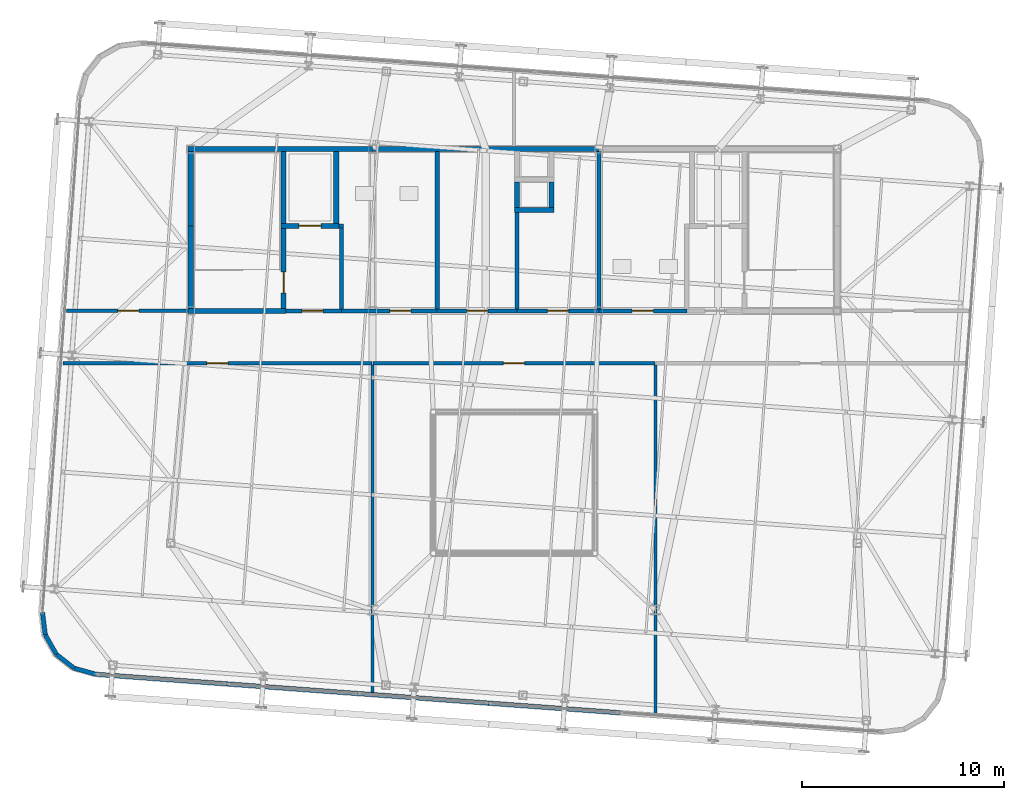
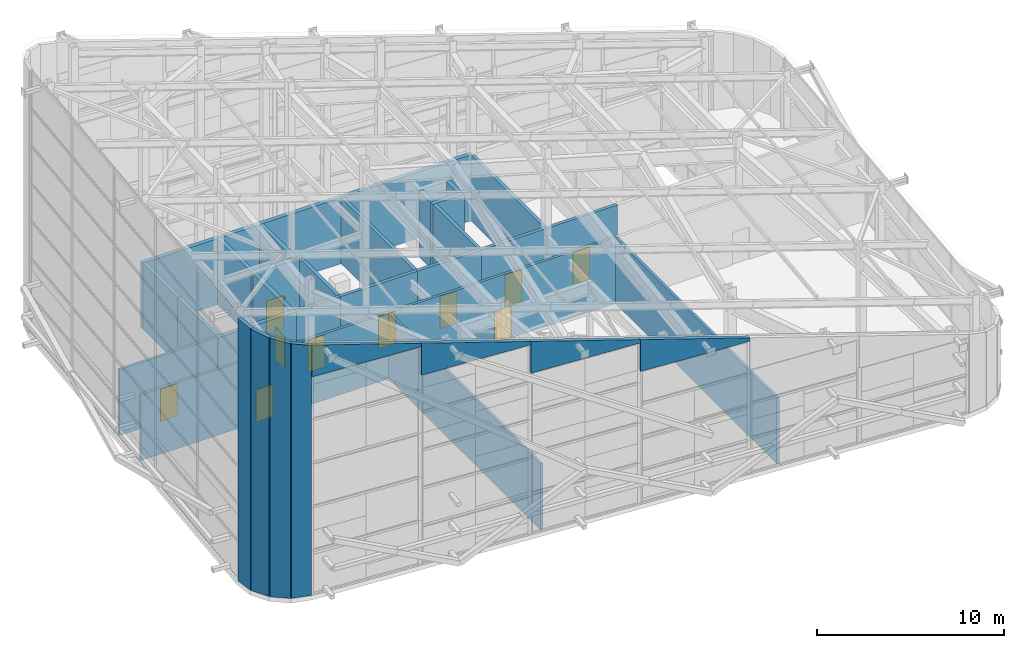
# One storey, part 53 of 56: 35 walls, 10 doors, 10 openings.
"""IFC4 building model written with IfcOpenShell, lengths in metres."""

from ifc_helpers import new_model, si_unit, direction, frame, frame_2d, origin, place, context, subcontext, project, spatial, polyline, rectangle, outline, extrude, source, transform, mapped, material, layer, layer_set, type_object, element, fill, save


model = new_model("IFC4")

# Units and contexts
model_context = context("Model", 3, precision=1e-05, world=origin(), true_north=direction((0.0, 1.0)))
body_context = subcontext(model_context, "Body", "Model", "MODEL_VIEW")
ifc_project = project(units=[si_unit("LENGTHUNIT", "METRE"), si_unit("AREAUNIT", "SQUARE_METRE"), si_unit("VOLUMEUNIT", "CUBIC_METRE"), si_unit("PLANEANGLEUNIT", "RADIAN"), si_unit("MASSUNIT", "GRAM", prefix="KILO")], contexts=[model_context])

# Site, building, storey
site_placement = place(None, origin())
site = spatial("IfcSite", under=ifc_project, at=site_placement, CompositionType="ELEMENT")
building_placement = place(site_placement, origin())
building = spatial("IfcBuilding", under=site, at=building_placement, Name="Taldren Reach Tower", CompositionType="ELEMENT")
storey_placement = place(building_placement, frame((0.0, 0.0, 253.050048828125)))
storey = spatial("IfcBuildingStorey", under=building, at=storey_placement, Name="L77", CompositionType="ELEMENT", Elevation=253.050048828125)

# Walls
ifc_material_1 = material(Name="Pale Champagne Anodised Aluminium Cladding", Category="aluminium")
ifc_layer_1 = layer(ifc_material_1, 0.04, Name="Pale Champagne Anodised Aluminium Cladding", Category="aluminium")
ifc_material_2 = material(Name="Mineral Wool Acoustic Insulation", Category="insulation")
ifc_layer_2 = layer(ifc_material_2, 0.06, Name="Mineral Wool Acoustic Insulation", Category="insulation")
ifc_material_3 = material(Name="Steel Gr 350 (C350L0)", Category="steel")
ifc_layer_3 = layer(ifc_material_3, 0.12, Name="Steel Gr 350 (C350L0)", Category="steel")
ifc_layer_set_1 = layer_set([ifc_layer_1, ifc_layer_2, ifc_layer_3], Name="Pale Champagne Aluminium Cladding and Steel Gr 350 Stud Framing")
wall_type_1 = type_object("IfcWallType", Name="EW-CRN-220", PredefinedType="SOLIDWALL", material=ifc_layer_set_1)
wall_1_placement = place(storey_placement, frame((11.66259765625, 9.072021484375, 0.0), z_axis=(0.0, 0.0, 1.0), x_axis=(0.122742076028, -0.992438604032, 0.0)))
element("IfcWall", 1, at=wall_1_placement, inside=storey, type_object=wall_type_1, Name="Rounded-corner pale-metal facade wall L77-SW1", PredefinedType="SOLIDWALL", context=body_context, shape_type="SweptSolid", body=[
    extrude(outline(polyline([(0.0, 0.0), (1.115966796875, 0.0), (1.115966796875, 17.055419921875), (0.0, 17.11767578125), (0.0, 0.0)])), frame((0.0, 0.10986328125, 0.0), z_axis=(0.0, -1.0, 0.0), x_axis=(1.0, 0.0, 0.0)), (0.0, 0.0, 1.0), 0.219970703125),
])
wall_2_placement = place(storey_placement, frame((11.799560546875, 7.964599609375, 0.0), z_axis=(0.0, 0.0, 1.0), x_axis=(0.493073284892, -0.869987779067, 0.0)))
element("IfcWall", 2, at=wall_2_placement, inside=storey, type_object=wall_type_1, Name="Rounded-corner pale-metal facade wall L77-SW2", PredefinedType="SOLIDWALL", context=body_context, shape_type="SweptSolid", body=[
    extrude(outline(polyline([(0.0, 0.0), (1.115966796875, 0.0), (1.115966796875, 16.877685546875), (0.0, 17.055419921875), (0.0, 0.0)])), frame((0.0, 0.10986328125, 0.0), z_axis=(0.0, -1.0, 0.0), x_axis=(1.0, 0.0, 0.0)), (0.0, 0.0, 1.0), 0.219970703125),
])
wall_3_placement = place(storey_placement, frame((12.349853515625, 6.99365234375, 0.0), z_axis=(0.0, 0.0, 1.0), x_axis=(0.788597772321, -0.614909386406, 0.0)))
element("IfcWall", 3, at=wall_3_placement, inside=storey, type_object=wall_type_1, Name="Rounded-corner pale-metal facade wall L77-SW3", PredefinedType="SOLIDWALL", context=body_context, shape_type="SweptSolid", body=[
    extrude(outline(polyline([(0.0, 0.0), (1.115966796875, 0.0), (1.115966796875, 16.611572265625), (0.0, 16.877685546875), (0.0, 0.0)])), frame((0.0, 0.10986328125, 0.0), z_axis=(0.0, -1.0, 0.0), x_axis=(1.0, 0.0, 0.0)), (0.0, 0.0, 1.0), 0.219970703125),
])
wall_4_placement = place(storey_placement, frame((13.22998046875, 6.307373046875, 0.0), z_axis=(0.0, 0.0, 1.0), x_axis=(0.963890028874, -0.266300605026, 0.0)))
element("IfcWall", 4, at=wall_4_placement, inside=storey, type_object=wall_type_1, Name="Rounded-corner pale-metal facade wall L77-SW4", PredefinedType="SOLIDWALL", context=body_context, shape_type="SweptSolid", body=[
    extrude(outline(polyline([(0.0, 0.0), (1.11572265625, 0.0), (1.115966796875, 16.2978515625), (0.0, 16.611572265625), (0.0, 0.0)])), frame((0.0, 0.10986328125, 0.0), z_axis=(0.0, -1.0, 0.0), x_axis=(1.0, 0.0, 0.0)), (0.0, 0.0, 1.0), 0.219970703125),
])
wall_5_placement = place(storey_placement, frame((14.305419921875, 6.01025390625, 14.241455078125), z_axis=(0.0, 0.0, 1.0), x_axis=(0.997314286366, -0.073240796084, 0.0)))
element("IfcWall", 5, at=wall_5_placement, inside=storey, type_object=wall_type_1, Name="Slanted crown eave closure wall L77-S1", PredefinedType="SOLIDWALL", context=body_context, shape_type="SweptSolid", body=[
    extrude(outline(polyline([(0.0, 0.0), (6.500244140625, 0.0), (6.5, 0.22021484375), (0.0, 2.08349609375), (0.0, 0.0)])), frame((0.0, 0.10986328125, 0.0), z_axis=(0.0, -1.0, 0.0), x_axis=(1.0, 0.0, 0.0)), (0.0, 0.0, 1.0), 0.219970703125),
])
wall_6_placement = place(storey_placement, frame((20.7880859375, 5.5341796875, 12.378173828125), z_axis=(0.0, 0.0, 1.0), x_axis=(0.997314084878, -0.073243539677, 0.0)))
element("IfcWall", 6, at=wall_6_placement, inside=storey, type_object=wall_type_1, Name="Slanted crown eave closure wall L77-S2", PredefinedType="SOLIDWALL", context=body_context, shape_type="SweptSolid", body=[
    extrude(outline(polyline([(0.0, 0.0), (6.5, 0.0), (6.5, 0.219970703125), (0.0, 2.08349609375), (0.0, 0.0)])), frame((0.0, 0.10986328125, 0.0), z_axis=(0.0, -1.0, 0.0), x_axis=(1.0, 0.0, 0.0)), (0.0, 0.0, 1.0), 0.219970703125),
])
wall_7_placement = place(storey_placement, frame((27.2705078125, 5.05810546875, 10.514892578125), z_axis=(0.0, 0.0, 1.0), x_axis=(0.997314286366, -0.073240796084, 0.0)))
element("IfcWall", 7, at=wall_7_placement, inside=storey, type_object=wall_type_1, Name="Slanted crown eave closure wall L77-S3", PredefinedType="SOLIDWALL", context=body_context, shape_type="SweptSolid", body=[
    extrude(outline(polyline([(0.0, 0.0), (6.500244140625, 0.0), (6.5, 0.219970703125), (0.0, 2.083251953125), (0.0, 0.0)])), frame((0.0, 0.10986328125, 0.0), z_axis=(0.0, -1.0, 0.0), x_axis=(1.0, 0.0, 0.0)), (0.0, 0.0, 1.0), 0.219970703125),
])
wall_8_placement = place(storey_placement, frame((33.753173828125, 4.58203125, 8.651611328125), z_axis=(0.0, 0.0, 1.0), x_axis=(0.997314084878, -0.073243539677, 0.0)))
element("IfcWall", 8, at=wall_8_placement, inside=storey, type_object=wall_type_1, Name="Slanted crown eave closure wall L77-S4", PredefinedType="SOLIDWALL", context=body_context, shape_type="SweptSolid", body=[
    extrude(outline(polyline([(0.0, 0.0), (6.5, 0.0), (6.5, 0.219970703125), (0.0, 2.083251953125), (0.0, 0.0)])), frame((0.0, 0.10986328125, 0.0), z_axis=(0.0, -1.0, 0.0), x_axis=(1.0, 0.0, 0.0)), (0.0, 0.0, 1.0), 0.219970703125),
])
ifc_material_4 = material(Name="Concrete S65 (65 MPa)", Category="concrete")
ifc_layer_4 = layer(ifc_material_4, 0.25)
ifc_layer_set_2 = layer_set([ifc_layer_4], Name="Concrete S65 (65 MPa)")
wall_type_2 = type_object("IfcWallType", Name="IW-CORE-250", PredefinedType="SHEAR", material=ifc_layer_set_2)
shared_shape_1 = source(origin(), body_context, "Body", "SweptSolid", [
    extrude(rectangle(XDim=9.125, YDim=0.25, at=frame_2d((4.5625, 0.0))), origin(), (0.0, 0.0, 1.0), 4.300048828125),
])
wall_9_placement = place(storey_placement, frame((18.875, 32.0, 0.0), z_axis=(0.0, 0.0, 1.0), x_axis=(1.0, 0.0, 0.0)))
element("IfcWall", 9, at=wall_9_placement, inside=storey, type_object=wall_type_2, Name="Rear Core Shear Wall W-CORE-L77-NORTH1", PredefinedType="SHEAR", context=body_context, shape_type="MappedRepresentation", body=[
    mapped(shared_shape_1, transform((0.0, 0.0, 0.0), scale=1.0)),
])
shared_shape_2 = source(origin(), body_context, "Body", "SweptSolid", [
    extrude(rectangle(XDim=11.199951171875, YDim=0.25, at=frame_2d((5.60009765625, 0.0))), origin(), (0.0, 0.0, 1.0), 4.300048828125),
])
wall_10_placement = place(storey_placement, frame((28.0, 32.0, 0.0), z_axis=(0.0, 0.0, 1.0), x_axis=(1.0, 0.0, 0.0)))
element("IfcWall", 10, at=wall_10_placement, inside=storey, type_object=wall_type_2, Name="Rear Core Shear Wall W-CORE-L77-NORTH2", PredefinedType="SHEAR", context=body_context, shape_type="MappedRepresentation", body=[
    mapped(shared_shape_2, transform((0.0, 0.0, 0.0), scale=1.0)),
])
shared_shape_3 = source(origin(), body_context, "Body", "SweptSolid", [
    extrude(rectangle(XDim=4.074951171875, YDim=0.25, at=frame_2d((2.03759765625, 0.0))), origin(), (0.0, 0.0, 1.0), 4.300048828125),
])
wall_11_placement = place(storey_placement, frame((19.0, 24.125, 0.0), z_axis=(0.0, 0.0, 1.0), x_axis=(0.0, 1.0, 0.0)))
element("IfcWall", 11, at=wall_11_placement, inside=storey, type_object=wall_type_2, Name="Rear Core Shear Wall W-CORE-L77-WEST1", PredefinedType="SHEAR", context=body_context, shape_type="MappedRepresentation", body=[
    mapped(shared_shape_3, transform((0.0, 0.0, 0.0), scale=1.0)),
])
shared_shape_4 = source(origin(), body_context, "Body", "SweptSolid", [
    extrude(rectangle(XDim=3.675048828125, YDim=0.25, at=frame_2d((1.83740234375, 0.0))), origin(), (0.0, 0.0, 1.0), 4.300048828125),
])
wall_12_placement = place(storey_placement, frame((19.0, 28.199951171875, 0.0), z_axis=(0.0, 0.0, 1.0), x_axis=(0.0, 1.0, 0.0)))
element("IfcWall", 12, at=wall_12_placement, inside=storey, type_object=wall_type_2, Name="Rear Core Shear Wall W-CORE-L77-WEST2", PredefinedType="SHEAR", context=body_context, shape_type="MappedRepresentation", body=[
    mapped(shared_shape_4, transform((0.0, 0.0, 0.0), scale=1.0)),
])
shared_shape_5 = source(origin(), body_context, "Body", "SweptSolid", [
    extrude(rectangle(XDim=3.550048828125, YDim=0.25, at=frame_2d((1.77490234375, 0.0))), origin(), (0.0, 0.0, 1.0), 4.300048828125),
])
for number, where, z_axis, x_axis, name in (
    (13, (23.60009765625, 28.324951171875, 0.0), (0.0, 0.0, 1.0), (0.0, 1.0, 0.0), "Rear Core Shear Wall W-INT-L77-001"),
    (14, (26.199951171875, 28.324951171875, 0.0), (0.0, 0.0, 1.0), (0.0, 1.0, 0.0), "Rear Core Shear Wall W-INT-L77-005"),
):
    element("IfcWall", number, at=place(storey_placement, frame(where, z_axis=z_axis, x_axis=x_axis)), inside=storey, type_object=wall_type_2, Name=name, PredefinedType="SHEAR", context=body_context, shape_type="MappedRepresentation", body=[
        mapped(shared_shape_5, transform((0.0, 0.0, 0.0), scale=1.0)),
    ])

# Wall, opening, door
shared_shape_6 = source(origin(), body_context, "Body", "SweptSolid", [
    extrude(rectangle(XDim=3.949951171875, YDim=0.25, at=frame_2d((1.97509765625, 0.0))), origin(), (0.0, 0.0, 1.0), 4.300048828125),
])
wall_13_placement = place(storey_placement, frame((23.60009765625, 24.125, 0.0), z_axis=(0.0, 0.0, 1.0), x_axis=(0.0, 1.0, 0.0)))
wall_13 = element("IfcWall", 15, at=wall_13_placement, inside=storey, type_object=wall_type_2, Name="Rear Core Shear Wall W-INT-L77-002", PredefinedType="SHEAR", context=body_context, shape_type="MappedRepresentation", body=[
    mapped(shared_shape_6, transform((0.0, 0.0, 0.0), scale=1.0)),
])
shared_shape_7 = source(origin(), body_context, "Body", "SweptSolid", [
    extrude(rectangle(XDim=1.050048828125, YDim=2.10009765625, at=frame_2d((0.52490234375, 1.050048828125))), frame((0.0, 0.135009765625, 0.0), z_axis=(0.0, -1.0, 0.0), x_axis=(1.0, 0.0, 0.0)), (0.0, 0.0, 1.0), 0.27001953125),
])
opening_1_placement = place(wall_13_placement, frame((0.75, 0.0, 0.0)))
opening_1 = element("IfcOpeningElement", 16, at=opening_1_placement, cuts=wall_13, Name="Opening DF-105", PredefinedType="OPENING", context=body_context, shape_type="MappedRepresentation", body=[
    mapped(shared_shape_7, transform((0.0, 0.0, 0.0), scale=1.0)),
])
ifc_material_5 = material(Name="Fire-Rated Care and Stair Exit Door")
door_type_1 = type_object("IfcDoorType", Name="ID-FIRE-105", OperationType="NOTDEFINED", PredefinedType="DOOR", material=ifc_material_5)
shared_shape_8 = source(origin(), body_context, "Body", "SweptSolid", [
    extrude(rectangle(XDim=1.050048828125, YDim=2.10009765625, at=frame_2d((0.52490234375, 1.050048828125))), frame((0.0, 0.02490234375, 0.0), z_axis=(0.0, -1.0, 0.0), x_axis=(1.0, 0.0, 0.0)), (0.0, 0.0, 1.0), 0.050048828125),
])
door_1_placement = place(opening_1_placement, origin())
door_1 = element("IfcDoor", 17, at=door_1_placement, inside=storey, type_object=door_type_1, Name="Fire Exit Stair Door DR-L77-001", OperationType="SINGLE_SWING_LEFT", OverallHeight=2.10009765625, OverallWidth=1.050048828125, PredefinedType="DOOR", context=body_context, shape_type="MappedRepresentation", body=[
    mapped(shared_shape_8, transform((0.0, 0.0, 0.0), scale=1.0)),
])
fill(opening_1, door_1)

# Wall
shared_shape_9 = source(origin(), body_context, "Body", "SweptSolid", [
    extrude(rectangle(XDim=4.85009765625, YDim=0.25, at=frame_2d((2.425048828125, 0.0))), origin(), (0.0, 0.0, 1.0), 4.300048828125),
])
wall_14_placement = place(storey_placement, frame((18.875, 24.0, 0.0), z_axis=(0.0, 0.0, 1.0), x_axis=(1.0, 0.0, 0.0)))
element("IfcWall", 18, at=wall_14_placement, inside=storey, type_object=wall_type_2, Name="Rear Core Shear Wall W-INT-L77-003", PredefinedType="SHEAR", context=body_context, shape_type="MappedRepresentation", body=[
    mapped(shared_shape_9, transform((0.0, 0.0, 0.0), scale=1.0)),
])

# Wall, opening, door
shared_shape_10 = source(origin(), body_context, "Body", "SweptSolid", [
    extrude(rectangle(XDim=2.849853515625, YDim=0.25, at=frame_2d((1.4248046875, 0.0))), origin(), (0.0, 0.0, 1.0), 4.300048828125),
])
wall_15_placement = place(storey_placement, frame((23.47509765625, 28.199951171875, 0.0), z_axis=(0.0, 0.0, 1.0), x_axis=(1.0, 0.0, 0.0)))
wall_15 = element("IfcWall", 19, at=wall_15_placement, inside=storey, type_object=wall_type_2, Name="Rear Core Shear Wall W-INT-L77-004", PredefinedType="SHEAR", context=body_context, shape_type="MappedRepresentation", body=[
    mapped(shared_shape_10, transform((0.0, 0.0, 0.0), scale=1.0)),
])
shared_shape_11 = source(origin(), body_context, "Body", "SweptSolid", [
    extrude(rectangle(XDim=1.10009765625, YDim=2.14990234375, at=frame_2d((0.550048828125, 1.074951171875))), frame((0.0, 0.135009765625, 0.0), z_axis=(0.0, -1.0, 0.0), x_axis=(1.0, 0.0, 0.0)), (0.0, 0.0, 1.0), 0.27001953125),
])
opening_2_placement = place(wall_15_placement, frame((0.875, 0.0, 0.0)))
opening_2 = element("IfcOpeningElement", 20, at=opening_2_placement, cuts=wall_15, Name="Opening LD-FL1", PredefinedType="OPENING", context=body_context, shape_type="MappedRepresentation", body=[
    mapped(shared_shape_11, transform((0.0, 0.0, 0.0), scale=1.0)),
])
ifc_material_6 = material(Name="Stainless Steel Gr 316 Emergency Lift Landing Door", Category="steel")
door_type_2 = type_object("IfcDoorType", Name="LD-EMG-110", OperationType="SLIDING_TO_LEFT", PredefinedType="DOOR", material=ifc_material_6)
shared_shape_12 = source(origin(), body_context, "Body", "SweptSolid", [
    extrude(rectangle(XDim=1.10009765625, YDim=2.14990234375, at=frame_2d((0.550048828125, 1.074951171875))), frame((0.0, 0.02490234375, 0.0), z_axis=(0.0, -1.0, 0.0), x_axis=(1.0, 0.0, 0.0)), (0.0, 0.0, 1.0), 0.050048828125),
])
door_2_placement = place(opening_2_placement, origin())
door_2 = element("IfcDoor", 21, at=door_2_placement, inside=storey, type_object=door_type_2, Name="Lift Landing Door LD-FL1-L77", OperationType="SLIDING_TO_LEFT", OverallHeight=2.14990234375, OverallWidth=1.10009765625, PredefinedType="DOOR", context=body_context, shape_type="MappedRepresentation", body=[
    mapped(shared_shape_12, transform((0.0, 0.0, 0.0), scale=1.0)),
])
fill(opening_2, door_2)

# Wall
ifc_material_7 = material(Name="Concrete S50 (50 MPa)", Category="concrete")
ifc_layer_5 = layer(ifc_material_7, 0.199951171875)
ifc_layer_set_3 = layer_set([ifc_layer_5], Name="Concrete S50 (50 MPa)")
wall_type_3 = type_object("IfcWallType", Name="IW-CORE-200", PredefinedType="SOLIDWALL", material=ifc_layer_set_3)
shared_shape_13 = source(origin(), body_context, "Body", "SweptSolid", [
    extrude(rectangle(XDim=4.0, YDim=0.199951171875, at=frame_2d((2.0, 0.0))), origin(), (0.0, 0.0, 1.0), 4.300048828125),
])
wall_16_placement = place(storey_placement, frame((26.449951171875, 24.10009765625, 0.0), z_axis=(0.0, 0.0, 1.0), x_axis=(0.0, 1.0, 0.0)))
element("IfcWall", 22, at=wall_16_placement, inside=storey, type_object=wall_type_3, Name="Rear Core Shear Wall W-INT-L77-006", PredefinedType="SOLIDWALL", context=body_context, shape_type="MappedRepresentation", body=[
    mapped(shared_shape_13, transform((0.0, 0.0, 0.0), scale=1.0)),
])

# Wall, opening, door
shared_shape_14 = source(origin(), body_context, "Body", "SweptSolid", [
    extrude(rectangle(XDim=2.724853515625, YDim=0.199951171875, at=frame_2d((1.3623046875, 0.0))), origin(), (0.0, 0.0, 1.0), 4.300048828125),
])
wall_17_placement = place(storey_placement, frame((23.72509765625, 24.0, 0.0), z_axis=(0.0, 0.0, 1.0), x_axis=(1.0, 0.0, 0.0)))
wall_17 = element("IfcWall", 23, at=wall_17_placement, inside=storey, type_object=wall_type_3, Name="Rear Core Shear Wall W-INT-L77-007", PredefinedType="SOLIDWALL", context=body_context, shape_type="MappedRepresentation", body=[
    mapped(shared_shape_14, transform((0.0, 0.0, 0.0), scale=1.0)),
])
shared_shape_15 = source(origin(), body_context, "Body", "SweptSolid", [
    extrude(rectangle(XDim=1.050048828125, YDim=2.10009765625, at=frame_2d((0.52490234375, 1.050048828125))), frame((0.0, 0.10986328125, 0.0), z_axis=(0.0, -1.0, 0.0), x_axis=(1.0, 0.0, 0.0)), (0.0, 0.0, 1.0), 0.219970703125),
])
opening_3_placement = place(wall_17_placement, frame((0.77490234375, 0.0, 0.0)))
opening_3 = element("IfcOpeningElement", 24, at=opening_3_placement, cuts=wall_17, Name="Opening DF-105", PredefinedType="OPENING", context=body_context, shape_type="MappedRepresentation", body=[
    mapped(shared_shape_15, transform((0.0, 0.0, 0.0), scale=1.0)),
])
door_3_placement = place(opening_3_placement, origin())
door_3 = element("IfcDoor", 25, at=door_3_placement, inside=storey, type_object=door_type_1, Name="Interior Door DR-L77-002", OperationType="SINGLE_SWING_LEFT", OverallHeight=2.10009765625, OverallWidth=1.050048828125, PredefinedType="DOOR", context=body_context, shape_type="MappedRepresentation", body=[
    mapped(shared_shape_8, transform((0.0, 0.0, 0.0), scale=1.0)),
])
fill(opening_3, door_3)

# Walls
shared_shape_16 = source(origin(), body_context, "Body", "SweptSolid", [
    extrude(rectangle(XDim=1.9501953125, YDim=0.25, at=frame_2d((0.97509765625, 0.0))), origin(), (0.0, 0.0, 1.0), 4.300048828125),
])
wall_18_placement = place(storey_placement, frame((35.02490234375, 29.0, 0.0), z_axis=(0.0, 0.0, 1.0), x_axis=(1.0, 0.0, 0.0)))
element("IfcWall", 26, at=wall_18_placement, inside=storey, type_object=wall_type_2, Name="Rear Core Shear Wall W-INT-L77-019", PredefinedType="SHEAR", context=body_context, shape_type="MappedRepresentation", body=[
    mapped(shared_shape_16, transform((0.0, 0.0, 0.0), scale=1.0)),
])
shared_shape_17 = source(origin(), body_context, "Body", "SweptSolid", [
    extrude(rectangle(XDim=1.25, YDim=0.25, at=frame_2d((0.625, 0.0))), origin(), (0.0, 0.0, 1.0), 4.300048828125),
])
for number, where, z_axis, x_axis, name in (
    (27, (35.14990234375, 30.375, 0.0), (0.0, 0.0, 1.0), (0.0, -1.0, 0.0), "Rear Core Shear Wall W-INT-L77-018"),
    (28, (36.85009765625, 29.125, 0.0), (0.0, 0.0, 1.0), (0.0, 1.0, 0.0), "Rear Core Shear Wall W-INT-L77-020"),
):
    element("IfcWall", number, at=place(storey_placement, frame(where, z_axis=z_axis, x_axis=x_axis)), inside=storey, type_object=wall_type_2, Name=name, PredefinedType="SHEAR", context=body_context, shape_type="MappedRepresentation", body=[
        mapped(shared_shape_17, transform((0.0, 0.0, 0.0), scale=1.0)),
    ])
shared_shape_18 = source(origin(), body_context, "Body", "SweptSolid", [
    extrude(rectangle(XDim=7.77490234375, YDim=0.199951171875, at=frame_2d((3.887451171875, 0.0))), origin(), (0.0, 0.0, 1.0), 4.300048828125),
])
for number, where, z_axis, x_axis, name in (
    (29, (31.199951171875, 31.875, 0.0), (0.0, 0.0, 1.0), (0.0, -1.0, 0.0), "Rear Core Shear Wall W-INT-L77-021"),
    (30, (39.199951171875, 31.875, 0.0), (0.0, 0.0, 1.0), (0.0, -1.0, 0.0), "Rear Core Shear Wall W-INT-L77-025"),
):
    element("IfcWall", number, at=place(storey_placement, frame(where, z_axis=z_axis, x_axis=x_axis)), inside=storey, type_object=wall_type_3, Name=name, PredefinedType="SOLIDWALL", context=body_context, shape_type="MappedRepresentation", body=[
        mapped(shared_shape_18, transform((0.0, 0.0, 0.0), scale=1.0)),
    ])

# Wall, opening, door
shared_shape_19 = source(origin(), body_context, "Body", "SweptSolid", [
    extrude(rectangle(XDim=4.75, YDim=0.199951171875, at=frame_2d((2.375, 0.0))), origin(), (0.0, 0.0, 1.0), 4.300048828125),
])
wall_19_placement = place(storey_placement, frame((31.199951171875, 24.0, 0.0), z_axis=(0.0, 0.0, 1.0), x_axis=(-1.0, 0.0, 0.0)))
wall_19 = element("IfcWall", 31, at=wall_19_placement, inside=storey, type_object=wall_type_3, Name="Rear Core Shear Wall W-INT-L77-022", PredefinedType="SOLIDWALL", context=body_context, shape_type="MappedRepresentation", body=[
    mapped(shared_shape_19, transform((0.0, 0.0, 0.0), scale=1.0)),
])
opening_4_placement = place(wall_19_placement, frame((1.300048828125, 0.0, 0.0)))
opening_4 = element("IfcOpeningElement", 32, at=opening_4_placement, cuts=wall_19, Name="Opening DF-105", PredefinedType="OPENING", context=body_context, shape_type="MappedRepresentation", body=[
    mapped(shared_shape_15, transform((0.0, 0.0, 0.0), scale=1.0)),
])
door_4_placement = place(opening_4_placement, frame((1.050048828125, 0.0, 0.0), z_axis=(0.0, 0.0, 1.0), x_axis=(-1.0, 0.0, 0.0)))
door_4 = element("IfcDoor", 33, at=door_4_placement, inside=storey, type_object=door_type_1, Name="Interior Door DR-L77-005", OperationType="SINGLE_SWING_RIGHT", OverallHeight=2.10009765625, OverallWidth=1.050048828125, PredefinedType="DOOR", context=body_context, shape_type="MappedRepresentation", body=[
    mapped(shared_shape_8, transform((0.0, 0.0, 0.0), scale=1.0)),
])
fill(opening_4, door_4)

# Wall
shared_shape_20 = source(origin(), body_context, "Body", "SweptSolid", [
    extrude(rectangle(XDim=4.77490234375, YDim=0.199951171875, at=frame_2d((2.387451171875, 0.0))), origin(), (0.0, 0.0, 1.0), 4.300048828125),
])
wall_20_placement = place(storey_placement, frame((35.14990234375, 28.875, 0.0), z_axis=(0.0, 0.0, 1.0), x_axis=(0.0, -1.0, 0.0)))
element("IfcWall", 34, at=wall_20_placement, inside=storey, type_object=wall_type_3, Name="Rear Core Shear Wall W-INT-L77-023", PredefinedType="SOLIDWALL", context=body_context, shape_type="MappedRepresentation", body=[
    mapped(shared_shape_20, transform((0.0, 0.0, 0.0), scale=1.0)),
])

# Wall, opening, door
shared_shape_21 = source(origin(), body_context, "Body", "SweptSolid", [
    extrude(rectangle(XDim=3.949951171875, YDim=0.199951171875, at=frame_2d((1.97509765625, 0.0))), origin(), (0.0, 0.0, 1.0), 4.300048828125),
])
wall_21_placement = place(storey_placement, frame((35.14990234375, 24.0, 0.0), z_axis=(0.0, 0.0, 1.0), x_axis=(-1.0, 0.0, 0.0)))
wall_21 = element("IfcWall", 35, at=wall_21_placement, inside=storey, type_object=wall_type_3, Name="Rear Core Shear Wall W-INT-L77-024", PredefinedType="SOLIDWALL", context=body_context, shape_type="MappedRepresentation", body=[
    mapped(shared_shape_21, transform((0.0, 0.0, 0.0), scale=1.0)),
])
opening_5_placement = place(wall_21_placement, frame((1.449951171875, 0.0, 0.0)))
opening_5 = element("IfcOpeningElement", 36, at=opening_5_placement, cuts=wall_21, Name="Opening DF-105", PredefinedType="OPENING", context=body_context, shape_type="MappedRepresentation", body=[
    mapped(shared_shape_15, transform((0.0, 0.0, 0.0), scale=1.0)),
])
door_5_placement = place(opening_5_placement, frame((1.050048828125, 0.0, 0.0), z_axis=(0.0, 0.0, 1.0), x_axis=(-1.0, 0.0, 0.0)))
door_5 = element("IfcDoor", 37, at=door_5_placement, inside=storey, type_object=door_type_1, Name="Interior Door DR-L77-006", OperationType="SINGLE_SWING_RIGHT", OverallHeight=2.10009765625, OverallWidth=1.050048828125, PredefinedType="DOOR", context=body_context, shape_type="MappedRepresentation", body=[
    mapped(shared_shape_8, transform((0.0, 0.0, 0.0), scale=1.0)),
])
fill(opening_5, door_5)

shared_shape_22 = source(origin(), body_context, "Body", "SweptSolid", [
    extrude(rectangle(XDim=4.050048828125, YDim=0.199951171875, at=frame_2d((2.02490234375, 0.0))), origin(), (0.0, 0.0, 1.0), 4.300048828125),
])
wall_22_placement = place(storey_placement, frame((39.199951171875, 24.0, 0.0), z_axis=(0.0, 0.0, 1.0), x_axis=(-1.0, 0.0, 0.0)))
wall_22 = element("IfcWall", 38, at=wall_22_placement, inside=storey, type_object=wall_type_3, Name="Rear Core Shear Wall W-INT-L77-026", PredefinedType="SOLIDWALL", context=body_context, shape_type="MappedRepresentation", body=[
    mapped(shared_shape_22, transform((0.0, 0.0, 0.0), scale=1.0)),
])
opening_6_placement = place(wall_22_placement, frame((1.5, 0.0, 0.0)))
opening_6 = element("IfcOpeningElement", 39, at=opening_6_placement, cuts=wall_22, Name="Opening DF-105", PredefinedType="OPENING", context=body_context, shape_type="MappedRepresentation", body=[
    mapped(shared_shape_15, transform((0.0, 0.0, 0.0), scale=1.0)),
])
door_6_placement = place(opening_6_placement, frame((1.050048828125, 0.0, 0.0), z_axis=(0.0, 0.0, 1.0), x_axis=(-1.0, 0.0, 0.0)))
door_6 = element("IfcDoor", 40, at=door_6_placement, inside=storey, type_object=door_type_1, Name="Interior Door DR-L77-007", OperationType="SINGLE_SWING_LEFT", OverallHeight=2.10009765625, OverallWidth=1.050048828125, PredefinedType="DOOR", context=body_context, shape_type="MappedRepresentation", body=[
    mapped(shared_shape_8, transform((0.0, 0.0, 0.0), scale=1.0)),
])
fill(opening_6, door_6)

shared_shape_23 = source(origin(), body_context, "Body", "SweptSolid", [
    extrude(rectangle(XDim=4.35009765625, YDim=0.199951171875, at=frame_2d((2.175048828125, 0.0))), origin(), (0.0, 0.0, 1.0), 4.300048828125),
])
wall_23_placement = place(storey_placement, frame((43.550048828125, 24.0, 0.0), z_axis=(0.0, 0.0, 1.0), x_axis=(-1.0, 0.0, 0.0)))
wall_23 = element("IfcWall", 41, at=wall_23_placement, inside=storey, type_object=wall_type_3, Name="Rear Core Shear Wall W-INT-L77-027", PredefinedType="SOLIDWALL", context=body_context, shape_type="MappedRepresentation", body=[
    mapped(shared_shape_23, transform((0.0, 0.0, 0.0), scale=1.0)),
])
opening_7_placement = place(wall_23_placement, frame((1.64990234375, 0.0, 0.0)))
opening_7 = element("IfcOpeningElement", 42, at=opening_7_placement, cuts=wall_23, Name="Opening DF-105", PredefinedType="OPENING", context=body_context, shape_type="MappedRepresentation", body=[
    mapped(shared_shape_15, transform((0.0, 0.0, 0.0), scale=1.0)),
])
door_7_placement = place(opening_7_placement, frame((1.050048828125, 0.0, 0.0), z_axis=(0.0, 0.0, 1.0), x_axis=(-1.0, 0.0, 0.0)))
door_7 = element("IfcDoor", 43, at=door_7_placement, inside=storey, type_object=door_type_1, Name="Interior Door DR-L77-008", OperationType="SINGLE_SWING_RIGHT", OverallHeight=2.10009765625, OverallWidth=1.050048828125, PredefinedType="DOOR", context=body_context, shape_type="MappedRepresentation", body=[
    mapped(shared_shape_8, transform((0.0, 0.0, 0.0), scale=1.0)),
])
fill(opening_7, door_7)

ifc_material_8 = material(Name="Fire-Rated Acoustic Plasterboard Stud Wall", Category="gypsum")
ifc_layer_6 = layer(ifc_material_8, 0.159912109375)
ifc_layer_set_4 = layer_set([ifc_layer_6], Name="Fire-Rated Acoustic Plasterboard Stud Wall")
wall_type_4 = type_object("IfcWallType", Name="IW-FIRE-160", PredefinedType="PARTITIONING", material=ifc_layer_set_4)
shared_shape_24 = source(origin(), body_context, "Body", "SweptSolid", [
    extrude(rectangle(XDim=13.95947265625, YDim=0.159912109375, at=frame_2d((6.979736328125, 0.0))), origin(), (0.0, 0.0, 1.0), 4.300048828125),
])
wall_24_placement = place(storey_placement, frame((41.979736328125, 21.39990234375, 0.0), z_axis=(0.0, 0.0, 1.0), x_axis=(-1.0, 0.0, 0.0)))
wall_24 = element("IfcWall", 44, at=wall_24_placement, inside=storey, type_object=wall_type_4, Name="Interior Partition Wall W-INT-L77-028", PredefinedType="PARTITIONING", context=body_context, shape_type="MappedRepresentation", body=[
    mapped(shared_shape_24, transform((0.0, 0.0, 0.0), scale=1.0)),
])
shared_shape_25 = source(origin(), body_context, "Body", "SweptSolid", [
    extrude(rectangle(XDim=1.050048828125, YDim=2.10009765625, at=frame_2d((0.52490234375, 1.050048828125))), frame((0.0, 0.08984375, 0.0), z_axis=(0.0, -1.0, 0.0), x_axis=(1.0, 0.0, 0.0)), (0.0, 0.0, 1.0), 0.179931640625),
])
opening_8_placement = place(wall_24_placement, frame((6.454833984375, 0.0, 0.0)))
opening_8 = element("IfcOpeningElement", 45, at=opening_8_placement, cuts=wall_24, Name="Opening DF-105", PredefinedType="OPENING", context=body_context, shape_type="MappedRepresentation", body=[
    mapped(shared_shape_25, transform((0.0, 0.0, 0.0), scale=1.0)),
])
door_8_placement = place(opening_8_placement, origin())
door_8 = element("IfcDoor", 46, at=door_8_placement, inside=storey, type_object=door_type_1, Name="Interior Door DR-L77-009", OperationType="SINGLE_SWING_RIGHT", OverallHeight=2.10009765625, OverallWidth=1.050048828125, PredefinedType="DOOR", context=body_context, shape_type="MappedRepresentation", body=[
    mapped(shared_shape_8, transform((0.0, 0.0, 0.0), scale=1.0)),
])
fill(opening_8, door_8)

shared_shape_26 = source(origin(), body_context, "Body", "SweptSolid", [
    extrude(rectangle(XDim=15.315673828125, YDim=0.159912109375, at=frame_2d((7.65771484375, 0.0))), origin(), (0.0, 0.0, 1.0), 4.300048828125),
])
wall_25_placement = place(storey_placement, frame((27.979736328125, 21.39990234375, 0.0), z_axis=(0.0, 0.0, 1.0), x_axis=(-1.0, 0.0, 0.0)))
wall_25 = element("IfcWall", 47, at=wall_25_placement, inside=storey, type_object=wall_type_4, Name="Interior Partition Wall W-INT-L77-029", PredefinedType="PARTITIONING", context=body_context, shape_type="MappedRepresentation", body=[
    mapped(shared_shape_26, transform((0.0, 0.0, 0.0), scale=1.0)),
])
opening_9_placement = place(wall_25_placement, frame((7.1328125, 0.0, 0.0)))
opening_9 = element("IfcOpeningElement", 48, at=opening_9_placement, cuts=wall_25, Name="Opening DF-105", PredefinedType="OPENING", context=body_context, shape_type="MappedRepresentation", body=[
    mapped(shared_shape_25, transform((0.0, 0.0, 0.0), scale=1.0)),
])
door_9_placement = place(opening_9_placement, origin())
door_9 = element("IfcDoor", 49, at=door_9_placement, inside=storey, type_object=door_type_1, Name="Interior Door DR-L77-010", OperationType="SINGLE_SWING_LEFT", OverallHeight=2.10009765625, OverallWidth=1.050048828125, PredefinedType="DOOR", context=body_context, shape_type="MappedRepresentation", body=[
    mapped(shared_shape_8, transform((0.0, 0.0, 0.0), scale=1.0)),
])
fill(opening_9, door_9)

shared_shape_27 = source(origin(), body_context, "Body", "SweptSolid", [
    extrude(rectangle(XDim=6.03173828125, YDim=0.159912109375, at=frame_2d((3.015869140625, 0.0))), origin(), (0.0, 0.0, 1.0), 4.300048828125),
])
wall_26_placement = place(storey_placement, frame((12.84326171875, 24.0, 0.0), z_axis=(0.0, 0.0, 1.0), x_axis=(1.0, 0.0, 0.0)))
wall_26 = element("IfcWall", 50, at=wall_26_placement, inside=storey, type_object=wall_type_4, Name="Interior Partition Wall W-INT-L77-031", PredefinedType="PARTITIONING", context=body_context, shape_type="MappedRepresentation", body=[
    mapped(shared_shape_27, transform((0.0, 0.0, 0.0), scale=1.0)),
])
opening_10_placement = place(wall_26_placement, frame((2.543212890625, 0.0, 0.0)))
opening_10 = element("IfcOpeningElement", 51, at=opening_10_placement, cuts=wall_26, Name="Opening DF-105", PredefinedType="OPENING", context=body_context, shape_type="MappedRepresentation", body=[
    mapped(shared_shape_25, transform((0.0, 0.0, 0.0), scale=1.0)),
])
door_10_placement = place(opening_10_placement, origin())
door_10 = element("IfcDoor", 52, at=door_10_placement, inside=storey, type_object=door_type_1, Name="Interior Door DR-L77-012", OperationType="SINGLE_SWING_LEFT", OverallHeight=2.10009765625, OverallWidth=1.050048828125, PredefinedType="DOOR", context=body_context, shape_type="MappedRepresentation", body=[
    mapped(shared_shape_8, transform((0.0, 0.0, 0.0), scale=1.0)),
])
fill(opening_10, door_10)

# Walls
shared_shape_28 = source(origin(), body_context, "Body", "SweptSolid", [
    extrude(rectangle(XDim=16.231201171875, YDim=0.159912109375, at=frame_2d((8.11572265625, 0.0))), origin(), (0.0, 0.0, 1.0), 4.300048828125),
])
wall_27_placement = place(storey_placement, frame((28.0, 5.0888671875, 0.0), z_axis=(0.0, 0.0, 1.0), x_axis=(0.0, 1.0, 0.0)))
element("IfcWall", 53, at=wall_27_placement, inside=storey, type_object=wall_type_4, Name="Interior Partition Wall W-INT-L77-033", PredefinedType="PARTITIONING", context=body_context, shape_type="MappedRepresentation", body=[
    mapped(shared_shape_28, transform((0.0, 0.0, 0.0), scale=1.0)),
])
shared_shape_29 = source(origin(), body_context, "Body", "SweptSolid", [
    extrude(rectangle(XDim=17.24755859375, YDim=0.159912109375, at=frame_2d((8.623779296875, 0.0))), origin(), (0.0, 0.0, 1.0), 4.300048828125),
])
wall_28_placement = place(storey_placement, frame((42.0, 21.320068359375, 0.0), z_axis=(0.0, 0.0, 1.0), x_axis=(0.0, -1.0, 0.0)))
element("IfcWall", 54, at=wall_28_placement, inside=storey, type_object=wall_type_4, Name="Interior Partition Wall W-INT-L77-034", PredefinedType="PARTITIONING", context=body_context, shape_type="MappedRepresentation", body=[
    mapped(shared_shape_29, transform((0.0, 0.0, 0.0), scale=1.0)),
])
shared_shape_30 = source(origin(), body_context, "Body", "SweptSolid", [
    extrude(rectangle(XDim=0.22509765625, YDim=0.199951171875, at=frame_2d((0.112548828125, 0.0))), origin(), (0.0, 0.0, 1.0), 4.300048828125),
])
wall_29_placement = place(storey_placement, frame((26.324951171875, 28.199951171875, 0.0), z_axis=(0.0, 0.0, 1.0), x_axis=(1.0, 0.0, 0.0)))
element("IfcWall", 55, at=wall_29_placement, inside=storey, type_object=wall_type_3, Name="Rear Core Partition Wall W-INT-L77-036", PredefinedType="SOLIDWALL", context=body_context, shape_type="MappedRepresentation", body=[
    mapped(shared_shape_30, transform((0.0, 0.0, 0.0), scale=1.0)),
])

save(model, "model.ifc")
